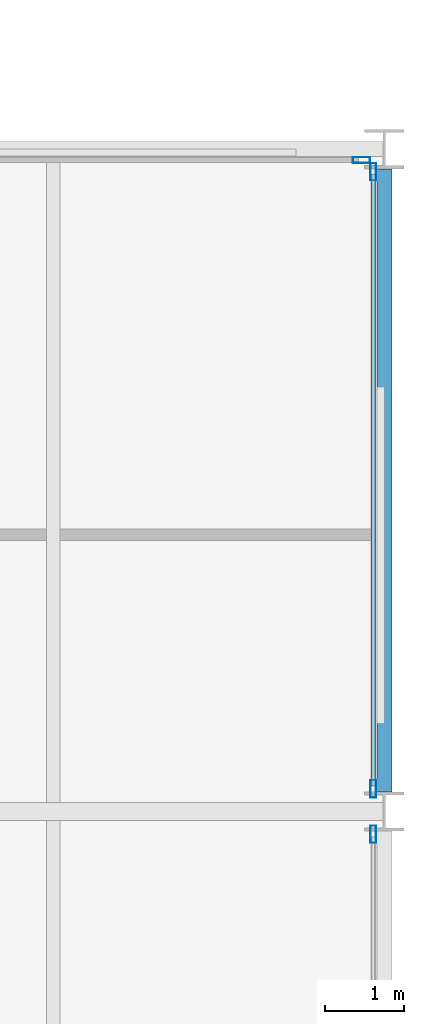
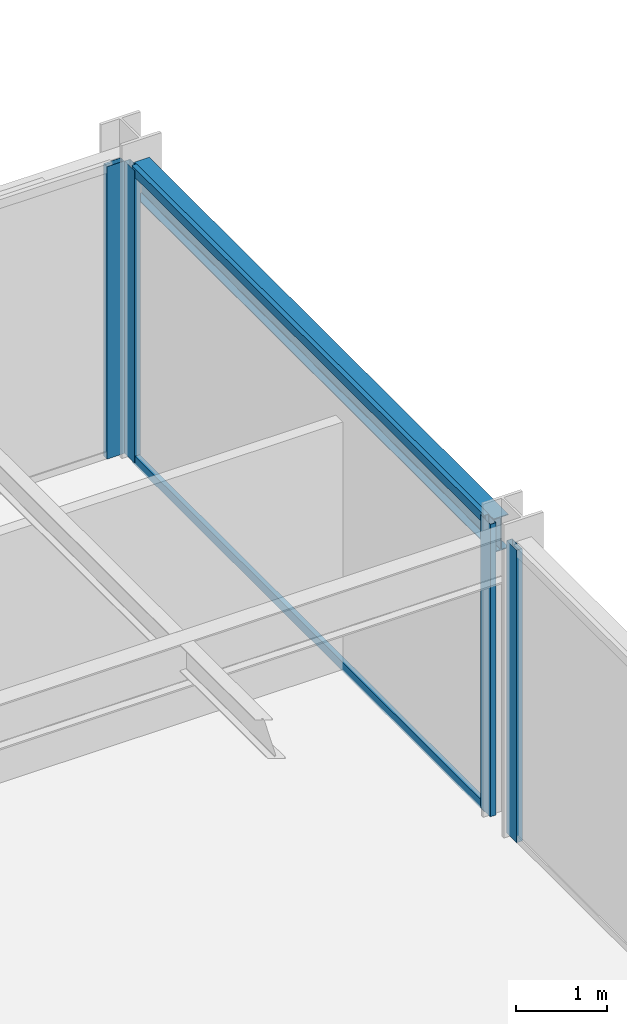
# One storey, part 13 of 24: 6 members, 1 beam, 3 elements without a shape of their own.
"""IFC4 building model written with IfcOpenShell, lengths in metres."""

from ifc_helpers import new_model, si_unit, direction, frame, origin, origin_2d, place, context, subcontext, project, spatial, hollow_rectangle, i_section, extrude, material, layer, layer_set, material_profile, profile_set, type_object, element, aggregate, save


model = new_model("IFC4")

# Units and contexts
model_context = context("Model", 3, precision=1e-05, world=origin(), true_north=direction((0.0, 1.0)))
body_context = subcontext(model_context, "Body", "Model", "MODEL_VIEW")
ifc_project = project(units=[si_unit("LENGTHUNIT", "METRE"), si_unit("AREAUNIT", "SQUARE_METRE"), si_unit("VOLUMEUNIT", "CUBIC_METRE"), si_unit("PLANEANGLEUNIT", "RADIAN"), si_unit("MASSUNIT", "GRAM", prefix="KILO")], contexts=[model_context])

# Site, building, storey
site_placement = place(None, origin())
site = spatial("IfcSite", under=ifc_project, at=site_placement, CompositionType="ELEMENT")
building_placement = place(site_placement, origin())
building = spatial("IfcBuilding", under=site, at=building_placement, Name="Nerrivon Quay Data Exchange", CompositionType="ELEMENT")
storey_placement = place(building_placement, frame((0.0, 0.0, 50.0)))
storey = spatial("IfcBuildingStorey", under=building, at=storey_placement, Name="L11", CompositionType="ELEMENT", Elevation=50.0)

# Beam
ifc_material_1 = material(Name="Steel Grade 350", Category="steel")
ifc_material_profile_1 = material_profile(ifc_material_1, i_section(OverallWidth=0.18994140625, OverallDepth=0.4541015625, WebThickness=0.008544921875, FlangeThickness=0.0126953125, FilletRadius=0.011474609375, at=origin_2d()), Name="460UB67.1")
ifc_profile_set_1 = profile_set([ifc_material_profile_1], Name="Steel Grade 350")
beam_type = type_object("IfcBeamType", Name="BM-SP1-460UB67", PredefinedType="SPANDREL", material=ifc_profile_set_1)
beam_placement = place(storey_placement, frame((50.39990234375, 17.050048828125, 3.697998046875), z_axis=(0.0, 1.0, 0.0), x_axis=(-1.0, 0.0, 0.0)))
element("IfcBeam", 1, at=beam_placement, inside=storey, type_object=beam_type, Name="L11 NS Girder X=50.4 (16.8..25.2)", PredefinedType="SPANDREL", context=body_context, shape_type="SweptSolid", body=[
    extrude(i_section(OverallWidth=0.18994140625, OverallDepth=0.4541015625, WebThickness=0.008544921875, FlangeThickness=0.0126953125, FilletRadius=0.011474609375, at=origin_2d()), origin(), (0.0, 0.0, 1.0), 7.89990234375),
])

# Curtain wall, member
ifc_material_2 = material(Name="Anodised aluminium 6063-T6", Category="aluminium")
ifc_layer = layer(ifc_material_2, 0.219970703125)
ifc_layer_set = layer_set([ifc_layer], Name="Anodised aluminium 6063-T6")
curtain_wall_type = type_object("IfcCurtainWallType", Name="CW-SYS-01", PredefinedType="NOTDEFINED", material=ifc_layer_set)
curtain_wall_1_placement = place(storey_placement, origin())
curtain_wall_1 = element("IfcCurtainWall", 2, at=curtain_wall_1_placement, inside=storey, type_object=curtain_wall_type, Name="L11 Unitised Curtain Wall 30", PredefinedType="NOTDEFINED")
ifc_material_profile_2 = material_profile(ifc_material_2, hollow_rectangle(XDim=0.074951171875, YDim=0.219970703125, WallThickness=0.00390625, at=origin_2d()), Name="ALU-MULL-220x75")
ifc_profile_set_2 = profile_set([ifc_material_profile_2], Name="Anodised aluminium 6063-T6")
member_type_1 = type_object("IfcMemberType", Name="CWM-220x75", PredefinedType="MULLION", material=ifc_profile_set_2)
member_1_placement = place(storey_placement, frame((50.112548828125, 25.06005859375, 0.0), z_axis=(0.0, 0.0, 1.0), x_axis=(0.0, 1.0, 0.0)))
member_1 = element("IfcMember", 3, at=member_1_placement, type_object=member_type_1, Name="CW01 mullion 2", PredefinedType="MULLION", context=body_context, shape_type="SweptSolid", body=[
    extrude(hollow_rectangle(XDim=0.074951171875, YDim=0.219970703125, WallThickness=0.00390625, at=origin_2d()), origin(), (0.0, 0.0, 1.0), 3.925048828125),
])
aggregate(curtain_wall_1, [member_1])

# Curtain wall, members
curtain_wall_2_placement = place(storey_placement, origin())
curtain_wall_2 = element("IfcCurtainWall", 4, at=curtain_wall_2_placement, inside=storey, type_object=curtain_wall_type, Name="L11 Unitised Curtain Wall 31", PredefinedType="NOTDEFINED")
member_2_placement = place(storey_placement, frame((50.260009765625, 24.91259765625, 0.0), z_axis=(0.0, 0.0, 1.0), x_axis=(1.0, 0.0, 0.0)))
member_2 = element("IfcMember", 5, at=member_2_placement, type_object=member_type_1, Name="CW01 mullion 1", PredefinedType="MULLION", context=body_context, shape_type="SweptSolid", body=[
    extrude(hollow_rectangle(XDim=0.074951171875, YDim=0.219970703125, WallThickness=0.00390625, at=origin_2d()), origin(), (0.0, 0.0, 1.0), 3.925048828125),
])
member_3_placement = place(storey_placement, frame((50.260009765625, 17.08740234375, 0.0), z_axis=(0.0, 0.0, 1.0), x_axis=(1.0, 0.0, 0.0)))
member_3 = element("IfcMember", 6, at=member_3_placement, type_object=member_type_1, Name="CW01 mullion 2", PredefinedType="MULLION", context=body_context, shape_type="SweptSolid", body=[
    extrude(hollow_rectangle(XDim=0.074951171875, YDim=0.219970703125, WallThickness=0.00390625, at=origin_2d()), origin(), (0.0, 0.0, 1.0), 3.925048828125),
])

# Curtain wall, member
curtain_wall_3_placement = place(storey_placement, origin())
curtain_wall_3 = element("IfcCurtainWall", 7, at=curtain_wall_3_placement, inside=storey, type_object=curtain_wall_type, Name="L11 Unitised Curtain Wall 32", PredefinedType="NOTDEFINED")
member_4_placement = place(storey_placement, frame((50.260009765625, 16.512451171875, 0.0), z_axis=(0.0, 0.0, 1.0), x_axis=(1.0, 0.0, 0.0)))
member_4 = element("IfcMember", 8, at=member_4_placement, type_object=member_type_1, Name="CW01 mullion 1", PredefinedType="MULLION", context=body_context, shape_type="SweptSolid", body=[
    extrude(hollow_rectangle(XDim=0.074951171875, YDim=0.219970703125, WallThickness=0.00390625, at=origin_2d()), origin(), (0.0, 0.0, 1.0), 3.925048828125),
])
aggregate(curtain_wall_3, [member_4])

# Member
ifc_material_profile_3 = material_profile(ifc_material_2, hollow_rectangle(XDim=0.06005859375, YDim=0.1201171875, WallThickness=0.003173828125, at=origin_2d()), Name="ALU-TRAN-120x60")
ifc_profile_set_3 = profile_set([ifc_material_profile_3], Name="Anodised aluminium 6063-T6")
member_type_2 = type_object("IfcMemberType", Name="CWT-120x60", PredefinedType="USERDEFINED", material=ifc_profile_set_3)
member_5_placement = place(storey_placement, frame((50.260009765625, 24.875, 0.032470703125), z_axis=(0.0, -1.0, 0.0), x_axis=(1.0, 0.0, 0.0)))
member_5 = element("IfcMember", 9, at=member_5_placement, type_object=member_type_2, Name="CW01 transom 1.1", ObjectType="TRANSOM", PredefinedType="USERDEFINED", context=body_context, shape_type="SweptSolid", body=[
    extrude(hollow_rectangle(XDim=0.06005859375, YDim=0.1201171875, WallThickness=0.003173828125, at=origin_2d()), origin(), (0.0, 0.0, 1.0), 7.75),
])

member_6_placement = place(storey_placement, frame((50.260009765625, 24.875, 3.892578125), z_axis=(0.0, -1.0, 0.0), x_axis=(1.0, 0.0, 0.0)))
member_6 = element("IfcMember", 10, at=member_6_placement, type_object=member_type_2, Name="CW01 transom 1.2", ObjectType="TRANSOM", PredefinedType="USERDEFINED", context=body_context, shape_type="SweptSolid", body=[
    extrude(hollow_rectangle(XDim=0.06005859375, YDim=0.1201171875, WallThickness=0.003173828125, at=origin_2d()), origin(), (0.0, 0.0, 1.0), 7.75),
])

aggregate(curtain_wall_2, [member_2, member_3, member_5, member_6])

save(model, "model.ifc")
